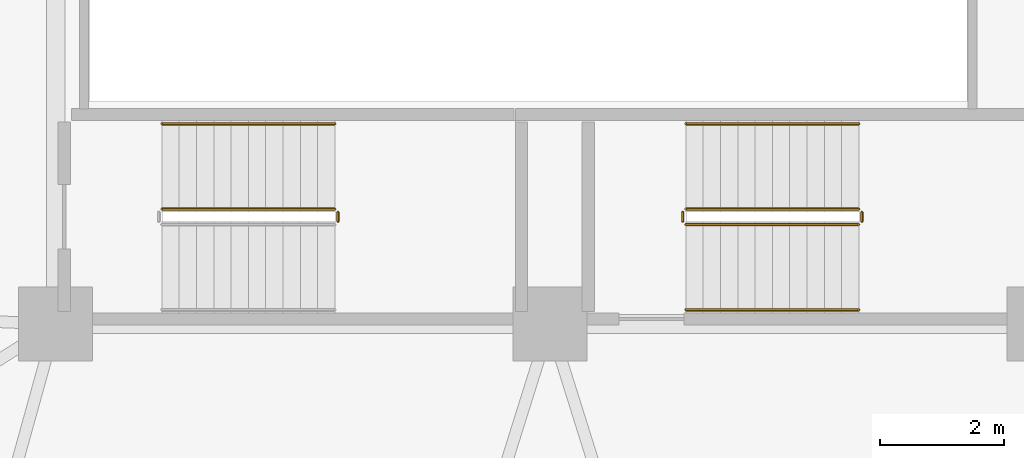
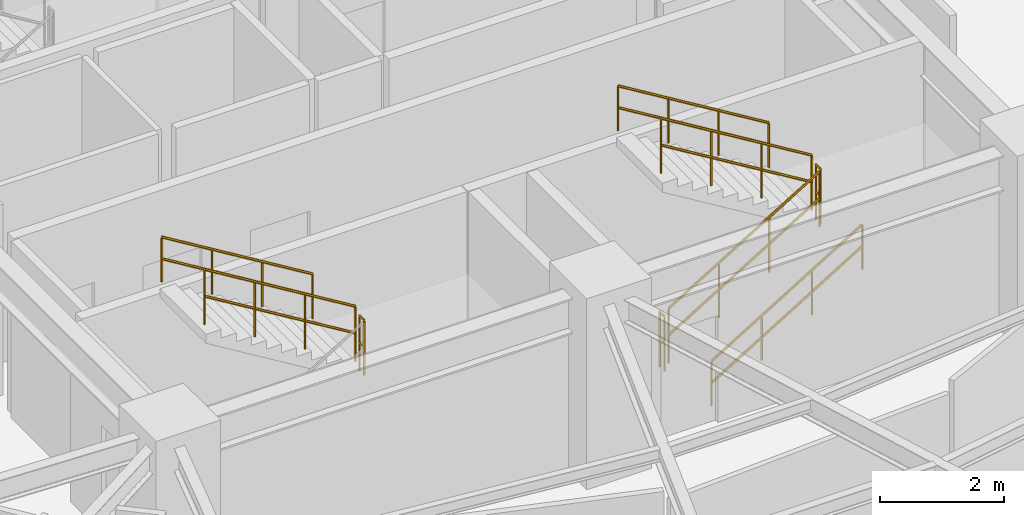
# One storey, part 28 of 30: 9 railings.
"""IFC4 building model written with IfcOpenShell, lengths in metres."""

from ifc_helpers import new_model, si_unit, direction, frame, origin, place, context, subcontext, project, spatial, polyline, outline, extrude, material, type_object, element, save


model = new_model("IFC4")

# Units and contexts
model_context = context("Model", 3, precision=1e-05, world=origin(), true_north=direction((0.0, 1.0)))
body_context = subcontext(model_context, "Body", "Model", "MODEL_VIEW")
ifc_project = project(units=[si_unit("LENGTHUNIT", "METRE"), si_unit("AREAUNIT", "SQUARE_METRE"), si_unit("VOLUMEUNIT", "CUBIC_METRE"), si_unit("PLANEANGLEUNIT", "RADIAN"), si_unit("MASSUNIT", "GRAM", prefix="KILO")], contexts=[model_context])

# Site, building, storey
site_placement = place(None, origin())
site = spatial("IfcSite", under=ifc_project, at=site_placement, CompositionType="ELEMENT")
building_placement = place(site_placement, origin())
building = spatial("IfcBuilding", under=site, at=building_placement, Name="Kelanora Arch Commons", CompositionType="ELEMENT")
storey_placement = place(building_placement, frame((0.0, 0.0, 215.699951171875)))
storey = spatial("IfcBuildingStorey", under=building, at=storey_placement, Name="L55", CompositionType="ELEMENT", Elevation=215.699951171875)

# Railings
ifc_material_1 = material(Name="Painted steel stair well guard", Category="steel")
railing_type_1 = type_object("IfcRailingType", Name="RAIL-STAIR-GRD", PredefinedType="GUARDRAIL", material=ifc_material_1)
railing_1_placement = place(storey_placement, frame((76.199951171875, 52.610107421875, 0.17041015625)))
element("IfcRailing", 1, at=railing_1_placement, inside=storey, type_object=railing_type_1, Name="L55 ST-T2 stair guard 1", PredefinedType="GUARDRAIL", context=body_context, shape_type="SweptSolid", body=[
    extrude(outline(polyline([(0.02392578125, 0.0), (0.011962890625, 0.020751953125), (-0.011962890625, 0.020751953125), (-0.02392578125, 0.0), (-0.011962890625, -0.020751953125), (0.011962890625, -0.020751953125), (0.02392578125, 0.0)])), frame((0.0, 0.0, 1.076171875), z_axis=(0.854169791009, 0.0, 0.51999420009), x_axis=(0.0, 1.0, 0.0)), (0.0, 0.0, 1.0), 3.278076171875),
    extrude(outline(polyline([(0.02392578125, 0.0), (0.011962890625, 0.020751953125), (-0.011962890625, 0.020751953125), (-0.02392578125, 0.0), (-0.011962890625, -0.020751953125), (0.011962890625, -0.020751953125), (0.02392578125, 0.0)])), frame((0.0, 0.0, 0.550048828125), z_axis=(0.854169791009, 0.0, 0.51999420009), x_axis=(0.0, 1.0, 0.0)), (0.0, 0.0, 1.0), 3.278076171875),
    extrude(outline(polyline([(0.02099609375, 0.0), (0.010498046875, 0.01806640625), (-0.010498046875, 0.01806640625), (-0.02099609375, 0.0), (-0.010498046875, -0.01806640625), (0.010498046875, -0.01806640625), (0.02099609375, 0.0)])), origin(), (0.0, 0.0, 1.0), 1.052001953125),
    extrude(outline(polyline([(0.02099609375, 0.0), (0.010498046875, 0.01806640625), (-0.010498046875, 0.01806640625), (-0.02099609375, 0.0), (-0.010498046875, -0.01806640625), (0.010498046875, -0.01806640625), (0.02099609375, 0.0)])), frame((0.933349609375, 0.0, 0.568115234375)), (0.0, 0.0, 1.0), 1.052001953125),
    extrude(outline(polyline([(0.02099609375, 0.0), (0.010498046875, 0.01806640625), (-0.010498046875, 0.01806640625), (-0.02099609375, 0.0), (-0.010498046875, -0.01806640625), (0.010498046875, -0.01806640625), (0.02099609375, 0.0)])), frame((1.86669921875, 0.0, 1.136474609375)), (0.0, 0.0, 1.0), 1.052001953125),
    extrude(outline(polyline([(0.02099609375, 0.0), (0.010498046875, 0.01806640625), (-0.010498046875, 0.01806640625), (-0.02099609375, 0.0), (-0.010498046875, -0.01806640625), (0.010498046875, -0.01806640625), (0.02099609375, 0.0)])), frame((2.800048828125, 0.0, 1.70458984375)), (0.0, 0.0, 1.0), 1.052001953125),
])
railing_2_placement = place(storey_placement, frame((79.050048828125, 52.659912109375, 1.875)))
element("IfcRailing", 2, at=railing_2_placement, inside=storey, type_object=railing_type_1, Name="L55 ST-T2 stair guard 2", PredefinedType="GUARDRAIL", context=body_context, shape_type="SweptSolid", body=[
    extrude(outline(polyline([(0.02392578125, 0.0), (0.011962890625, 0.020751953125), (-0.011962890625, 0.020751953125), (-0.02392578125, 0.0), (-0.011962890625, -0.020751953125), (0.011962890625, -0.020751953125), (0.02392578125, 0.0)])), frame((0.0, 0.0, 1.076171875), z_axis=(0.0, 1.0, 0.0), x_axis=(-1.0, 0.0, 0.0)), (0.0, 0.0, 1.0), 0.150146484375),
    extrude(outline(polyline([(0.02392578125, 0.0), (0.011962890625, 0.020751953125), (-0.011962890625, 0.020751953125), (-0.02392578125, 0.0), (-0.011962890625, -0.020751953125), (0.011962890625, -0.020751953125), (0.02392578125, 0.0)])), frame((0.0, 0.0, 0.550048828125), z_axis=(0.0, 1.0, 0.0), x_axis=(-1.0, 0.0, 0.0)), (0.0, 0.0, 1.0), 0.150146484375),
    extrude(outline(polyline([(0.02099609375, 0.0), (0.010498046875, 0.01806640625), (-0.010498046875, 0.01806640625), (-0.02099609375, 0.0), (-0.010498046875, -0.01806640625), (0.010498046875, -0.01806640625), (0.02099609375, 0.0)])), origin(), (0.0, 0.0, 1.0), 1.052001953125),
    extrude(outline(polyline([(0.02099609375, 0.0), (0.010498046875, 0.01806640625), (-0.010498046875, 0.01806640625), (-0.02099609375, 0.0), (-0.010498046875, -0.01806640625), (0.010498046875, -0.01806640625), (0.02099609375, 0.0)])), frame((0.0, 0.150146484375, 0.0)), (0.0, 0.0, 1.0), 1.052001953125),
])
railing_3_placement = place(storey_placement, frame((79.0, 52.860107421875, 2.04541015625)))
element("IfcRailing", 3, at=railing_3_placement, inside=storey, type_object=railing_type_1, Name="L55 ST-T2 stair guard 3", PredefinedType="GUARDRAIL", context=body_context, shape_type="SweptSolid", body=[
    extrude(outline(polyline([(0.02392578125, 0.0), (0.011962890625, 0.020751953125), (-0.011962890625, 0.020751953125), (-0.02392578125, 0.0), (-0.011962890625, -0.020751953125), (0.011962890625, -0.020751953125), (0.02392578125, 0.0)])), frame((0.0, 0.0, 1.076171875), z_axis=(-0.854169791009, 0.0, 0.51999420009), x_axis=(0.0, -1.0, 0.0)), (0.0, 0.0, 1.0), 3.278076171875),
    extrude(outline(polyline([(0.02392578125, 0.0), (0.011962890625, 0.020751953125), (-0.011962890625, 0.020751953125), (-0.02392578125, 0.0), (-0.011962890625, -0.020751953125), (0.011962890625, -0.020751953125), (0.02392578125, 0.0)])), frame((0.0, 0.0, 0.550048828125), z_axis=(-0.854169791009, 0.0, 0.51999420009), x_axis=(0.0, -1.0, 0.0)), (0.0, 0.0, 1.0), 3.278076171875),
    extrude(outline(polyline([(0.02099609375, 0.0), (0.010498046875, 0.01806640625), (-0.010498046875, 0.01806640625), (-0.02099609375, 0.0), (-0.010498046875, -0.01806640625), (0.010498046875, -0.01806640625), (0.02099609375, 0.0)])), origin(), (0.0, 0.0, 1.0), 1.052001953125),
    extrude(outline(polyline([(0.02099609375, 0.0), (0.010498046875, 0.01806640625), (-0.010498046875, 0.01806640625), (-0.02099609375, 0.0), (-0.010498046875, -0.01806640625), (0.010498046875, -0.01806640625), (0.02099609375, 0.0)])), frame((-0.933349609375, 0.0, 0.568115234375)), (0.0, 0.0, 1.0), 1.052001953125),
    extrude(outline(polyline([(0.02099609375, 0.0), (0.010498046875, 0.01806640625), (-0.010498046875, 0.01806640625), (-0.02099609375, 0.0), (-0.010498046875, -0.01806640625), (0.010498046875, -0.01806640625), (0.02099609375, 0.0)])), frame((-1.86669921875, 0.0, 1.136474609375)), (0.0, 0.0, 1.0), 1.052001953125),
    extrude(outline(polyline([(0.02099609375, 0.0), (0.010498046875, 0.01806640625), (-0.010498046875, 0.01806640625), (-0.02099609375, 0.0), (-0.010498046875, -0.01806640625), (0.010498046875, -0.01806640625), (0.02099609375, 0.0)])), frame((-2.800048828125, 0.0, 1.70458984375)), (0.0, 0.0, 1.0), 1.052001953125),
])
for number, where, name in (
    (4, (76.14990234375, 52.659912109375, 0.0), "L55 ST-T2 stair guard 4"),
    (5, (70.570068359375, 52.659912109375, 1.875), "L55 ST-T3 stair guard 2"),
):
    element("IfcRailing", number, at=place(storey_placement, frame(where)), inside=storey, type_object=railing_type_1, Name=name, PredefinedType="GUARDRAIL", context=body_context, shape_type="SweptSolid", body=[
        extrude(outline(polyline([(0.02392578125, 0.0), (0.011962890625, 0.020751953125), (-0.011962890625, 0.020751953125), (-0.02392578125, 0.0), (-0.011962890625, -0.020751953125), (0.011962890625, -0.020751953125), (0.02392578125, 0.0)])), frame((0.0, 0.0, 1.076171875), z_axis=(0.0, 1.0, 0.0), x_axis=(-1.0, 0.0, 0.0)), (0.0, 0.0, 1.0), 0.150146484375),
        extrude(outline(polyline([(0.02392578125, 0.0), (0.011962890625, 0.020751953125), (-0.011962890625, 0.020751953125), (-0.02392578125, 0.0), (-0.011962890625, -0.020751953125), (0.011962890625, -0.020751953125), (0.02392578125, 0.0)])), frame((0.0, 0.0, 0.550048828125), z_axis=(0.0, 1.0, 0.0), x_axis=(-1.0, 0.0, 0.0)), (0.0, 0.0, 1.0), 0.150146484375),
        extrude(outline(polyline([(0.02099609375, 0.0), (0.010498046875, 0.01806640625), (-0.010498046875, 0.01806640625), (-0.02099609375, 0.0), (-0.010498046875, -0.01806640625), (0.010498046875, -0.01806640625), (0.02099609375, 0.0)])), origin(), (0.0, 0.0, 1.0), 1.052001953125),
        extrude(outline(polyline([(0.02099609375, 0.0), (0.010498046875, 0.01806640625), (-0.010498046875, 0.01806640625), (-0.02099609375, 0.0), (-0.010498046875, -0.01806640625), (0.010498046875, -0.01806640625), (0.02099609375, 0.0)])), frame((0.0, 0.150146484375, 0.0)), (0.0, 0.0, 1.0), 1.052001953125),
    ])
railing_4_placement = place(storey_placement, frame((70.52001953125, 52.860107421875, 2.04541015625)))
element("IfcRailing", 6, at=railing_4_placement, inside=storey, type_object=railing_type_1, Name="L55 ST-T3 stair guard 3", PredefinedType="GUARDRAIL", context=body_context, shape_type="SweptSolid", body=[
    extrude(outline(polyline([(0.02392578125, 0.0), (0.011962890625, 0.020751953125), (-0.011962890625, 0.020751953125), (-0.02392578125, 0.0), (-0.011962890625, -0.020751953125), (0.011962890625, -0.020751953125), (0.02392578125, 0.0)])), frame((0.0, 0.0, 1.076171875), z_axis=(-0.854169791009, 0.0, 0.51999420009), x_axis=(0.0, -1.0, 0.0)), (0.0, 0.0, 1.0), 3.278076171875),
    extrude(outline(polyline([(0.02392578125, 0.0), (0.011962890625, 0.020751953125), (-0.011962890625, 0.020751953125), (-0.02392578125, 0.0), (-0.011962890625, -0.020751953125), (0.011962890625, -0.020751953125), (0.02392578125, 0.0)])), frame((0.0, 0.0, 0.550048828125), z_axis=(-0.854169791009, 0.0, 0.51999420009), x_axis=(0.0, -1.0, 0.0)), (0.0, 0.0, 1.0), 3.278076171875),
    extrude(outline(polyline([(0.02099609375, 0.0), (0.010498046875, 0.01806640625), (-0.010498046875, 0.01806640625), (-0.02099609375, 0.0), (-0.010498046875, -0.01806640625), (0.010498046875, -0.01806640625), (0.02099609375, 0.0)])), origin(), (0.0, 0.0, 1.0), 1.052001953125),
    extrude(outline(polyline([(0.02099609375, 0.0), (0.010498046875, 0.01806640625), (-0.010498046875, 0.01806640625), (-0.02099609375, 0.0), (-0.010498046875, -0.01806640625), (0.010498046875, -0.01806640625), (0.02099609375, 0.0)])), frame((-0.933349609375, 0.0, 0.568115234375)), (0.0, 0.0, 1.0), 1.052001953125),
    extrude(outline(polyline([(0.02099609375, 0.0), (0.010498046875, 0.01806640625), (-0.010498046875, 0.01806640625), (-0.02099609375, 0.0), (-0.010498046875, -0.01806640625), (0.010498046875, -0.01806640625), (0.02099609375, 0.0)])), frame((-1.86669921875, 0.0, 1.136474609375)), (0.0, 0.0, 1.0), 1.052001953125),
    extrude(outline(polyline([(0.02099609375, 0.0), (0.010498046875, 0.01806640625), (-0.010498046875, 0.01806640625), (-0.02099609375, 0.0), (-0.010498046875, -0.01806640625), (0.010498046875, -0.01806640625), (0.02099609375, 0.0)])), frame((-2.800048828125, 0.0, 1.70458984375)), (0.0, 0.0, 1.0), 1.052001953125),
])
ifc_material_2 = material(Name="Brushed stainless steel stair handrail", Category="steel")
railing_type_2 = type_object("IfcRailingType", Name="RAIL-STAIR-HND", PredefinedType="HANDRAIL", material=ifc_material_2)
railing_5_placement = place(storey_placement, frame((76.199951171875, 51.22998046875, 0.17041015625)))
element("IfcRailing", 7, at=railing_5_placement, inside=storey, type_object=railing_type_2, Name="L55 ST-T2 stair handrail 1", PredefinedType="HANDRAIL", context=body_context, shape_type="SweptSolid", body=[
    extrude(outline(polyline([(0.02392578125, 0.0), (0.011962890625, 0.020751953125), (-0.011962890625, 0.020751953125), (-0.02392578125, 0.0), (-0.011962890625, -0.020751953125), (0.011962890625, -0.020751953125), (0.02392578125, 0.0)])), frame((0.0, 0.0, 0.8759765625), z_axis=(0.854169791009, 0.0, 0.51999420009), x_axis=(0.0, 1.0, 0.0)), (0.0, 0.0, 1.0), 3.278076171875),
    extrude(outline(polyline([(0.02392578125, 0.0), (0.011962890625, 0.020751953125), (-0.011962890625, 0.020751953125), (-0.02392578125, 0.0), (-0.011962890625, -0.020751953125), (0.011962890625, -0.020751953125), (0.02392578125, 0.0)])), frame((0.0, 0.0, 0.449951171875), z_axis=(0.854169791009, 0.0, 0.51999420009), x_axis=(0.0, 1.0, 0.0)), (0.0, 0.0, 1.0), 3.278076171875),
    extrude(outline(polyline([(0.02099609375, 0.0), (0.010498046875, 0.01806640625), (-0.010498046875, 0.01806640625), (-0.02099609375, 0.0), (-0.010498046875, -0.01806640625), (0.010498046875, -0.01806640625), (0.02099609375, 0.0)])), origin(), (0.0, 0.0, 1.0), 0.851806640625),
    extrude(outline(polyline([(0.02099609375, 0.0), (0.010498046875, 0.01806640625), (-0.010498046875, 0.01806640625), (-0.02099609375, 0.0), (-0.010498046875, -0.01806640625), (0.010498046875, -0.01806640625), (0.02099609375, 0.0)])), frame((0.933349609375, 0.0, 0.568115234375)), (0.0, 0.0, 1.0), 0.851806640625),
    extrude(outline(polyline([(0.02099609375, 0.0), (0.010498046875, 0.01806640625), (-0.010498046875, 0.01806640625), (-0.02099609375, 0.0), (-0.010498046875, -0.01806640625), (0.010498046875, -0.01806640625), (0.02099609375, 0.0)])), frame((1.86669921875, 0.0, 1.136474609375)), (0.0, 0.0, 1.0), 0.851806640625),
    extrude(outline(polyline([(0.02099609375, 0.0), (0.010498046875, 0.01806640625), (-0.010498046875, 0.01806640625), (-0.02099609375, 0.0), (-0.010498046875, -0.01806640625), (0.010498046875, -0.01806640625), (0.02099609375, 0.0)])), frame((2.800048828125, 0.0, 1.70458984375)), (0.0, 0.0, 1.0), 0.851806640625),
])
railing_6_placement = place(storey_placement, frame((79.0, 54.239990234375, 2.04541015625)))
element("IfcRailing", 8, at=railing_6_placement, inside=storey, type_object=railing_type_2, Name="L55 ST-T2 stair handrail 2", PredefinedType="HANDRAIL", context=body_context, shape_type="SweptSolid", body=[
    extrude(outline(polyline([(0.02392578125, 0.0), (0.011962890625, 0.020751953125), (-0.011962890625, 0.020751953125), (-0.02392578125, 0.0), (-0.011962890625, -0.020751953125), (0.011962890625, -0.020751953125), (0.02392578125, 0.0)])), frame((0.0, 0.0, 0.8759765625), z_axis=(-0.854169791009, 0.0, 0.51999420009), x_axis=(0.0, -1.0, 0.0)), (0.0, 0.0, 1.0), 3.278076171875),
    extrude(outline(polyline([(0.02392578125, 0.0), (0.011962890625, 0.020751953125), (-0.011962890625, 0.020751953125), (-0.02392578125, 0.0), (-0.011962890625, -0.020751953125), (0.011962890625, -0.020751953125), (0.02392578125, 0.0)])), frame((0.0, 0.0, 0.449951171875), z_axis=(-0.854169791009, 0.0, 0.51999420009), x_axis=(0.0, -1.0, 0.0)), (0.0, 0.0, 1.0), 3.278076171875),
    extrude(outline(polyline([(0.02099609375, 0.0), (0.010498046875, 0.01806640625), (-0.010498046875, 0.01806640625), (-0.02099609375, 0.0), (-0.010498046875, -0.01806640625), (0.010498046875, -0.01806640625), (0.02099609375, 0.0)])), origin(), (0.0, 0.0, 1.0), 0.851806640625),
    extrude(outline(polyline([(0.02099609375, 0.0), (0.010498046875, 0.01806640625), (-0.010498046875, 0.01806640625), (-0.02099609375, 0.0), (-0.010498046875, -0.01806640625), (0.010498046875, -0.01806640625), (0.02099609375, 0.0)])), frame((-0.933349609375, 0.0, 0.568115234375)), (0.0, 0.0, 1.0), 0.851806640625),
    extrude(outline(polyline([(0.02099609375, 0.0), (0.010498046875, 0.01806640625), (-0.010498046875, 0.01806640625), (-0.02099609375, 0.0), (-0.010498046875, -0.01806640625), (0.010498046875, -0.01806640625), (0.02099609375, 0.0)])), frame((-1.86669921875, 0.0, 1.136474609375)), (0.0, 0.0, 1.0), 0.851806640625),
    extrude(outline(polyline([(0.02099609375, 0.0), (0.010498046875, 0.01806640625), (-0.010498046875, 0.01806640625), (-0.02099609375, 0.0), (-0.010498046875, -0.01806640625), (0.010498046875, -0.01806640625), (0.02099609375, 0.0)])), frame((-2.800048828125, 0.0, 1.70458984375)), (0.0, 0.0, 1.0), 0.851806640625),
])
railing_7_placement = place(storey_placement, frame((70.52001953125, 54.239990234375, 2.04541015625)))
element("IfcRailing", 9, at=railing_7_placement, inside=storey, type_object=railing_type_2, Name="L55 ST-T3 stair handrail 2", PredefinedType="HANDRAIL", context=body_context, shape_type="SweptSolid", body=[
    extrude(outline(polyline([(0.02392578125, 0.0), (0.011962890625, 0.020751953125), (-0.011962890625, 0.020751953125), (-0.02392578125, 0.0), (-0.011962890625, -0.020751953125), (0.011962890625, -0.020751953125), (0.02392578125, 0.0)])), frame((0.0, 0.0, 0.8759765625), z_axis=(-0.854169791009, 0.0, 0.51999420009), x_axis=(0.0, -1.0, 0.0)), (0.0, 0.0, 1.0), 3.278076171875),
    extrude(outline(polyline([(0.02392578125, 0.0), (0.011962890625, 0.020751953125), (-0.011962890625, 0.020751953125), (-0.02392578125, 0.0), (-0.011962890625, -0.020751953125), (0.011962890625, -0.020751953125), (0.02392578125, 0.0)])), frame((0.0, 0.0, 0.449951171875), z_axis=(-0.854169791009, 0.0, 0.51999420009), x_axis=(0.0, -1.0, 0.0)), (0.0, 0.0, 1.0), 3.278076171875),
    extrude(outline(polyline([(0.02099609375, 0.0), (0.010498046875, 0.01806640625), (-0.010498046875, 0.01806640625), (-0.02099609375, 0.0), (-0.010498046875, -0.01806640625), (0.010498046875, -0.01806640625), (0.02099609375, 0.0)])), origin(), (0.0, 0.0, 1.0), 0.851806640625),
    extrude(outline(polyline([(0.02099609375, 0.0), (0.010498046875, 0.01806640625), (-0.010498046875, 0.01806640625), (-0.02099609375, 0.0), (-0.010498046875, -0.01806640625), (0.010498046875, -0.01806640625), (0.02099609375, 0.0)])), frame((-0.933349609375, 0.0, 0.568115234375)), (0.0, 0.0, 1.0), 0.851806640625),
    extrude(outline(polyline([(0.02099609375, 0.0), (0.010498046875, 0.01806640625), (-0.010498046875, 0.01806640625), (-0.02099609375, 0.0), (-0.010498046875, -0.01806640625), (0.010498046875, -0.01806640625), (0.02099609375, 0.0)])), frame((-1.86669921875, 0.0, 1.136474609375)), (0.0, 0.0, 1.0), 0.851806640625),
    extrude(outline(polyline([(0.02099609375, 0.0), (0.010498046875, 0.01806640625), (-0.010498046875, 0.01806640625), (-0.02099609375, 0.0), (-0.010498046875, -0.01806640625), (0.010498046875, -0.01806640625), (0.02099609375, 0.0)])), frame((-2.800048828125, 0.0, 1.70458984375)), (0.0, 0.0, 1.0), 0.851806640625),
])

save(model, "model.ifc")
